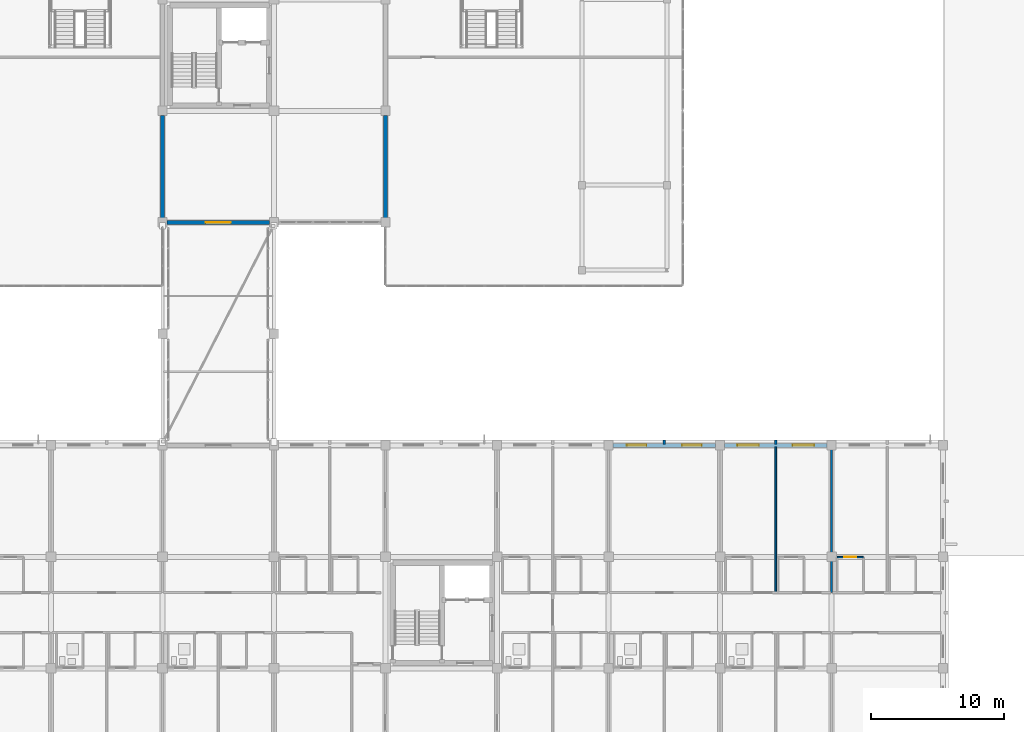
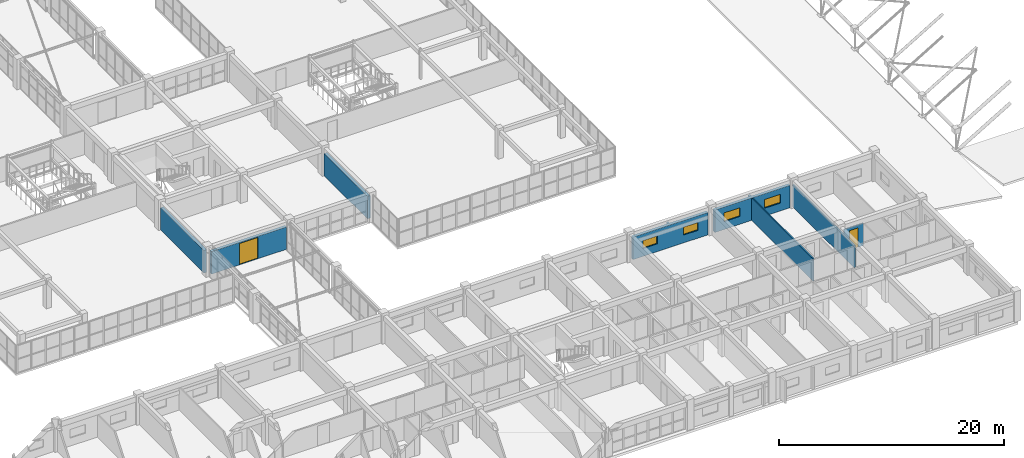
# One storey, part 119 of 148: 10 walls, 4 windows, 2 doors, 6 openings.
"""IFC4 building model written with IfcOpenShell, lengths in metres."""

from ifc_helpers import new_model, si_unit, direction, frame, frame_2d, origin, place, context, subcontext, project, spatial, rectangle, extrude, material, layer, layer_set, type_object, element, fill, save


model = new_model("IFC4")

# Units and contexts
model_context = context("Model", 3, precision=1e-05, world=origin(), true_north=direction((0.0, 1.0)))
body_context = subcontext(model_context, "Body", "Model", "MODEL_VIEW")
ifc_project = project(units=[si_unit("LENGTHUNIT", "METRE"), si_unit("AREAUNIT", "SQUARE_METRE"), si_unit("VOLUMEUNIT", "CUBIC_METRE"), si_unit("PLANEANGLEUNIT", "RADIAN"), si_unit("MASSUNIT", "GRAM", prefix="KILO")], contexts=[model_context])

# Site, building, storey
site_placement = place(None, origin())
site = spatial("IfcSite", under=ifc_project, at=site_placement, CompositionType="ELEMENT")
building_placement = place(site_placement, origin())
building = spatial("IfcBuilding", under=site, at=building_placement, Name="Trelvath General Hospital", CompositionType="ELEMENT")
storey_placement = place(building_placement, frame((0.0, 0.0, 12.89990234375)))
storey = spatial("IfcBuildingStorey", under=building, at=storey_placement, Name="L03", CompositionType="ELEMENT", Elevation=12.89990234375)

# Walls
ifc_material_1 = material(Name="Precast concrete C40/50", Category="concrete")
ifc_layer_1 = layer(ifc_material_1, 0.199951171875)
ifc_layer_set_1 = layer_set([ifc_layer_1], Name="Precast concrete C40/50")
wall_type_1 = type_object("IfcWallType", Name="BriseSoleilRib 200", PredefinedType="ELEMENTEDWALL", material=ifc_layer_set_1)
for number, where, z_axis, x_axis, name in (
    (1, (113.39990234375, 25.27490234375, 0.0), (0.0, 0.0, 1.0), (0.0, 1.0, 0.0), "Precast Concrete Brise-Soleil Rib Fin L03-285"),
    (2, (121.800048828125, 25.27490234375, 0.0), (0.0, 0.0, 1.0), (0.0, 1.0, 0.0), "Precast Concrete Brise-Soleil Rib Fin L03-289"),
):
    element("IfcWall", number, at=place(storey_placement, frame(where, z_axis=z_axis, x_axis=x_axis)), inside=storey, type_object=wall_type_1, Name=name, PredefinedType="ELEMENTEDWALL", context=body_context, shape_type="SweptSolid", body=[
        extrude(rectangle(XDim=0.340087890625, YDim=0.199951171875, at=frame_2d((0.169921875, 0.0))), origin(), (0.0, 0.0, 1.0), 2.420166015625),
    ])

# Wall, opening, door
ifc_material_2 = material(Name="Moisture-resistant tile partition")
ifc_layer_2 = layer(ifc_material_2, 0.110107421875)
ifc_layer_set_2 = layer_set([ifc_layer_2], Name="Moisture-resistant tile partition")
wall_type_2 = type_object("IfcWallType", Name="EnSuiteWetWall 110", PredefinedType="PARTITIONING", material=ifc_layer_set_2)
wall_1_placement = place(storey_placement, frame((126.419921875, 16.780029296875, 0.0), z_axis=(0.0, 0.0, 1.0), x_axis=(1.0, 0.0, 0.0)))
wall_1 = element("IfcWall", 3, at=wall_1_placement, inside=storey, type_object=wall_type_2, Name="En-Suite Bathroom N Partition L03-1225", PredefinedType="PARTITIONING", context=body_context, shape_type="SweptSolid", body=[
    extrude(rectangle(XDim=1.97998046875, YDim=0.110107421875, at=frame_2d((0.989990234375, 0.0))), origin(), (0.0, 0.0, 1.0), 2.420166015625),
])
opening_1_placement = place(wall_1_placement, frame((0.5400390625, 0.0, 0.0)))
opening_1 = element("IfcOpeningElement", 4, at=opening_1_placement, cuts=wall_1, Name="Opening D-3-0898", PredefinedType="OPENING", context=body_context, shape_type="SweptSolid", body=[
    extrude(rectangle(XDim=0.89990234375, YDim=2.10009765625, at=frame_2d((0.449951171875, 1.050048828125))), frame((0.0, 0.06494140625, 0.0), z_axis=(0.0, -1.0, 0.0), x_axis=(1.0, 0.0, 0.0)), (0.0, 0.0, 1.0), 0.130126953125),
])
ifc_material_3 = material(Name="Moisture-sealed timber leaf", Category="wood")
door_type_1 = type_object("IfcDoorType", Name="Door EnSuite 900x2100", OperationType="NOTDEFINED", PredefinedType="DOOR", material=ifc_material_3)
door_1_placement = place(opening_1_placement, origin())
door_1 = element("IfcDoor", 5, at=door_1_placement, inside=storey, type_object=door_type_1, Name="En-Suite Bathroom N Door L03-898", OperationType="SINGLE_SWING_RIGHT", OverallHeight=2.10009765625, OverallWidth=0.89990234375, PredefinedType="DOOR", context=body_context, shape_type="SweptSolid", body=[
    extrude(rectangle(XDim=0.89990234375, YDim=2.10009765625, at=frame_2d((0.449951171875, 1.050048828125))), frame((0.0, 0.02490234375, 0.0), z_axis=(0.0, -1.0, 0.0), x_axis=(1.0, 0.0, 0.0)), (0.0, 0.0, 1.0), 0.050048828125),
])
fill(opening_1, door_1)

ifc_material_4 = material(Name="Concrete C35/45", Category="concrete")
ifc_layer_3 = layer(ifc_material_4, 0.2900390625)
ifc_layer_set_3 = layer_set([ifc_layer_3], Name="Concrete C35/45")
wall_type_3 = type_object("IfcWallType", Name="ExtBushHammeredWall 290", PredefinedType="SOLIDWALL", material=ifc_layer_set_3)
wall_2_placement = place(storey_placement, frame((83.655029296875, 42.0, 0.0), z_axis=(0.0, 0.0, 1.0), x_axis=(-1.0, 0.0, 0.0)))
wall_2 = element("IfcWall", 6, at=wall_2_placement, inside=storey, type_object=wall_type_3, Name="Bridge Portal Wall BRG-S-C L03", PredefinedType="SOLIDWALL", context=body_context, shape_type="SweptSolid", body=[
    extrude(rectangle(XDim=7.7099609375, YDim=0.2900390625, at=frame_2d((3.85498046875, 0.0))), origin(), (0.0, 0.0, 1.0), 2.440185546875),
])
opening_2_placement = place(wall_2_placement, frame((2.905029296875, 0.0, 0.0)))
opening_2 = element("IfcOpeningElement", 7, at=opening_2_placement, cuts=wall_2, Name="Opening BP-3-051", PredefinedType="OPENING", context=body_context, shape_type="SweptSolid", body=[
    extrude(rectangle(XDim=1.89990234375, YDim=2.320068359375, at=frame_2d((0.949951171875, 1.16015625))), frame((0.0, 0.155029296875, 0.0), z_axis=(0.0, -1.0, 0.0), x_axis=(1.0, 0.0, 0.0)), (0.0, 0.0, 1.0), 0.31005859375),
])
ifc_material_5 = material(Name="Thermally broken glazed aluminium pair", Category="aluminium")
door_type_2 = type_object("IfcDoorType", Name="Door BridgeEntry 1900x2400", OperationType="DOUBLE_SWING_LEFT", PredefinedType="DOOR", material=ifc_material_5)
door_2_placement = place(opening_2_placement, origin())
door_2 = element("IfcDoor", 8, at=door_2_placement, inside=storey, type_object=door_type_2, Name="Glazed Bridge Portal Door BRG-S-C L03", OperationType="DOUBLE_SWING_LEFT", OverallHeight=2.320068359375, OverallWidth=1.89990234375, PredefinedType="DOOR", context=body_context, shape_type="SweptSolid", body=[
    extrude(rectangle(XDim=1.89990234375, YDim=2.320068359375, at=frame_2d((0.949951171875, 1.16015625))), frame((0.0, 0.02490234375, 0.0), z_axis=(0.0, -1.0, 0.0), x_axis=(1.0, 0.0, 0.0)), (0.0, 0.0, 1.0), 0.050048828125),
])
fill(opening_2, door_2)

# Walls
for number, where, z_axis, x_axis, name in (
    (9, (75.60009765625, 42.344970703125, 0.0), (0.0, 0.0, 1.0), (0.0, 1.0, 0.0), "Exterior Concrete Wall L03-383"),
    (10, (92.39990234375, 50.054931640625, 0.0), (0.0, 0.0, 1.0), (0.0, -1.0, 0.0), "Exterior Concrete Wall L03-391"),
):
    element("IfcWall", number, at=place(storey_placement, frame(where, z_axis=z_axis, x_axis=x_axis)), inside=storey, type_object=wall_type_3, Name=name, PredefinedType="SOLIDWALL", context=body_context, shape_type="SweptSolid", body=[
        extrude(rectangle(XDim=7.7099609375, YDim=0.2900390625, at=frame_2d((3.85498046875, 0.0))), origin(), (0.0, 0.0, 1.0), 2.440185546875),
    ])

# Wall, openings, windows
wall_3_placement = place(storey_placement, frame((109.544921875, 25.199951171875, 0.0), z_axis=(0.0, 0.0, 1.0), x_axis=(1.0, 0.0, 0.0)))
wall_3 = element("IfcWall", 11, at=wall_3_placement, inside=storey, type_object=wall_type_3, Name="Exterior Concrete Wall L03-403", PredefinedType="SOLIDWALL", context=body_context, shape_type="SweptSolid", body=[
    extrude(rectangle(XDim=7.7099609375, YDim=0.2900390625, at=frame_2d((3.85498046875, 0.0))), origin(), (0.0, 0.0, 1.0), 2.440185546875),
])
opening_3_placement = place(wall_3_placement, frame((1.043212890625, 0.0, 0.85009765625)))
opening_3 = element("IfcOpeningElement", 12, at=opening_3_placement, cuts=wall_3, Name="Opening WN-3-655", PredefinedType="OPENING", context=body_context, shape_type="SweptSolid", body=[
    extrude(rectangle(XDim=1.4599609375, YDim=0.85009765625, at=frame_2d((0.72998046875, 0.425048828125))), frame((0.0, 0.155029296875, 0.0), z_axis=(0.0, -1.0, 0.0), x_axis=(1.0, 0.0, 0.0)), (0.0, 0.0, 1.0), 0.31005859375),
])
opening_4_placement = place(wall_3_placement, frame((5.206787109375, 0.0, 0.85009765625)))
opening_4 = element("IfcOpeningElement", 13, at=opening_4_placement, cuts=wall_3, Name="Opening WN-3-656", PredefinedType="OPENING", context=body_context, shape_type="SweptSolid", body=[
    extrude(rectangle(XDim=1.4599609375, YDim=0.85009765625, at=frame_2d((0.72998046875, 0.425048828125))), frame((0.0, 0.155029296875, 0.0), z_axis=(0.0, -1.0, 0.0), x_axis=(1.0, 0.0, 0.0)), (0.0, 0.0, 1.0), 0.31005859375),
])
ifc_material_6 = material(Name="Low-E laminated glass", Category="glass")
window_type_1 = type_object("IfcWindowType", Name="Window ImagingClere 1460x850", PartitioningType="DOUBLE_PANEL_VERTICAL", PredefinedType="WINDOW", material=ifc_material_6)
window_1_placement = place(opening_3_placement, origin())
window_1 = element("IfcWindow", 14, at=window_1_placement, inside=storey, type_object=window_type_1, Name="Solar Reveal Window L03-655", OverallHeight=0.85009765625, OverallWidth=1.4599609375, PartitioningType="SINGLE_PANEL", PredefinedType="WINDOW", context=body_context, shape_type="SweptSolid", body=[
    extrude(rectangle(XDim=1.4599609375, YDim=0.85009765625, at=frame_2d((0.72998046875, 0.425048828125))), frame((0.0, 0.030029296875, 0.0), z_axis=(0.0, -1.0, 0.0), x_axis=(1.0, 0.0, 0.0)), (0.0, 0.0, 1.0), 0.06005859375),
])
fill(opening_3, window_1)
window_2_placement = place(opening_4_placement, origin())
window_2 = element("IfcWindow", 15, at=window_2_placement, inside=storey, type_object=window_type_1, Name="Solar Reveal Window L03-656", OverallHeight=0.85009765625, OverallWidth=1.4599609375, PartitioningType="SINGLE_PANEL", PredefinedType="WINDOW", context=body_context, shape_type="SweptSolid", body=[
    extrude(rectangle(XDim=1.4599609375, YDim=0.85009765625, at=frame_2d((0.72998046875, 0.425048828125))), frame((0.0, 0.030029296875, 0.0), z_axis=(0.0, -1.0, 0.0), x_axis=(1.0, 0.0, 0.0)), (0.0, 0.0, 1.0), 0.06005859375),
])
fill(opening_4, window_2)

wall_4_placement = place(storey_placement, frame((117.945068359375, 25.199951171875, 0.0), z_axis=(0.0, 0.0, 1.0), x_axis=(1.0, 0.0, 0.0)))
wall_4 = element("IfcWall", 16, at=wall_4_placement, inside=storey, type_object=wall_type_3, Name="Exterior Concrete Wall L03-407", PredefinedType="SOLIDWALL", context=body_context, shape_type="SweptSolid", body=[
    extrude(rectangle(XDim=7.7099609375, YDim=0.2900390625, at=frame_2d((3.85498046875, 0.0))), origin(), (0.0, 0.0, 1.0), 2.440185546875),
])
opening_5_placement = place(wall_4_placement, frame((0.96337890625, 0.0, 0.85009765625)))
opening_5 = element("IfcOpeningElement", 17, at=opening_5_placement, cuts=wall_4, Name="Opening WN-3-663", PredefinedType="OPENING", context=body_context, shape_type="SweptSolid", body=[
    extrude(rectangle(XDim=1.6201171875, YDim=0.949951171875, at=frame_2d((0.81005859375, 0.47509765625))), frame((0.0, 0.155029296875, 0.0), z_axis=(0.0, -1.0, 0.0), x_axis=(1.0, 0.0, 0.0)), (0.0, 0.0, 1.0), 0.31005859375),
])
opening_6_placement = place(wall_4_placement, frame((5.126708984375, 0.0, 0.85009765625)))
opening_6 = element("IfcOpeningElement", 18, at=opening_6_placement, cuts=wall_4, Name="Opening WN-3-664", PredefinedType="OPENING", context=body_context, shape_type="SweptSolid", body=[
    extrude(rectangle(XDim=1.6201171875, YDim=0.949951171875, at=frame_2d((0.81005859375, 0.47509765625))), frame((0.0, 0.155029296875, 0.0), z_axis=(0.0, -1.0, 0.0), x_axis=(1.0, 0.0, 0.0)), (0.0, 0.0, 1.0), 0.31005859375),
])
ifc_material_7 = material(Name="Low-E laminated glass", Category="glass")
window_type_2 = type_object("IfcWindowType", Name="Window EmergencyClere 1620x950", PartitioningType="DOUBLE_PANEL_VERTICAL", PredefinedType="WINDOW", material=ifc_material_7)
window_3_placement = place(opening_5_placement, origin())
window_3 = element("IfcWindow", 19, at=window_3_placement, inside=storey, type_object=window_type_2, Name="Solar Reveal Window L03-663", OverallHeight=0.949951171875, OverallWidth=1.6201171875, PartitioningType="SINGLE_PANEL", PredefinedType="WINDOW", context=body_context, shape_type="SweptSolid", body=[
    extrude(rectangle(XDim=1.6201171875, YDim=0.949951171875, at=frame_2d((0.81005859375, 0.47509765625))), frame((0.0, 0.030029296875, 0.0), z_axis=(0.0, -1.0, 0.0), x_axis=(1.0, 0.0, 0.0)), (0.0, 0.0, 1.0), 0.06005859375),
])
fill(opening_5, window_3)
window_4_placement = place(opening_6_placement, origin())
window_4 = element("IfcWindow", 20, at=window_4_placement, inside=storey, type_object=window_type_2, Name="Solar Reveal Window L03-664", OverallHeight=0.949951171875, OverallWidth=1.6201171875, PartitioningType="SINGLE_PANEL", PredefinedType="WINDOW", context=body_context, shape_type="SweptSolid", body=[
    extrude(rectangle(XDim=1.6201171875, YDim=0.949951171875, at=frame_2d((0.81005859375, 0.47509765625))), frame((0.0, 0.030029296875, 0.0), z_axis=(0.0, -1.0, 0.0), x_axis=(1.0, 0.0, 0.0)), (0.0, 0.0, 1.0), 0.06005859375),
])
fill(opening_6, window_4)

# Walls
ifc_material_8 = material(Name="Gypsum acoustic steel-stud partition", Category="steel")
ifc_layer_4 = layer(ifc_material_8, 0.1298828125)
ifc_layer_set_4 = layer_set([ifc_layer_4], Name="Gypsum acoustic steel-stud partition")
wall_type_4 = type_object("IfcWallType", Name="WardPartition 130", PredefinedType="PARTITIONING", material=ifc_layer_set_4)
wall_5_placement = place(storey_placement, frame((121.800048828125, 14.169921875, 0.0), z_axis=(0.0, 0.0, 1.0), x_axis=(0.0, 1.0, 0.0)))
element("IfcWall", 21, at=wall_5_placement, inside=storey, type_object=wall_type_4, Name="Room Dividing Partition N L03-1211", PredefinedType="PARTITIONING", context=body_context, shape_type="SweptSolid", body=[
    extrude(rectangle(XDim=10.93017578125, YDim=0.1298828125, at=frame_2d((5.465087890625, 0.0))), origin(), (0.0, 0.0, 1.0), 2.420166015625),
])
wall_6_placement = place(storey_placement, frame((126.0, 14.1201171875, 0.0), z_axis=(0.0, 0.0, 1.0), x_axis=(0.0, 1.0, 0.0)))
element("IfcWall", 22, at=wall_6_placement, inside=storey, type_object=wall_type_4, Name="Inter-Bay Ward Partition N L03-1219", PredefinedType="PARTITIONING", context=body_context, shape_type="SweptSolid", body=[
    extrude(rectangle(XDim=10.93994140625, YDim=0.1298828125, at=frame_2d((5.469970703125, 0.0))), origin(), (0.0, 0.0, 1.0), 2.420166015625),
])

save(model, "model.ifc")
